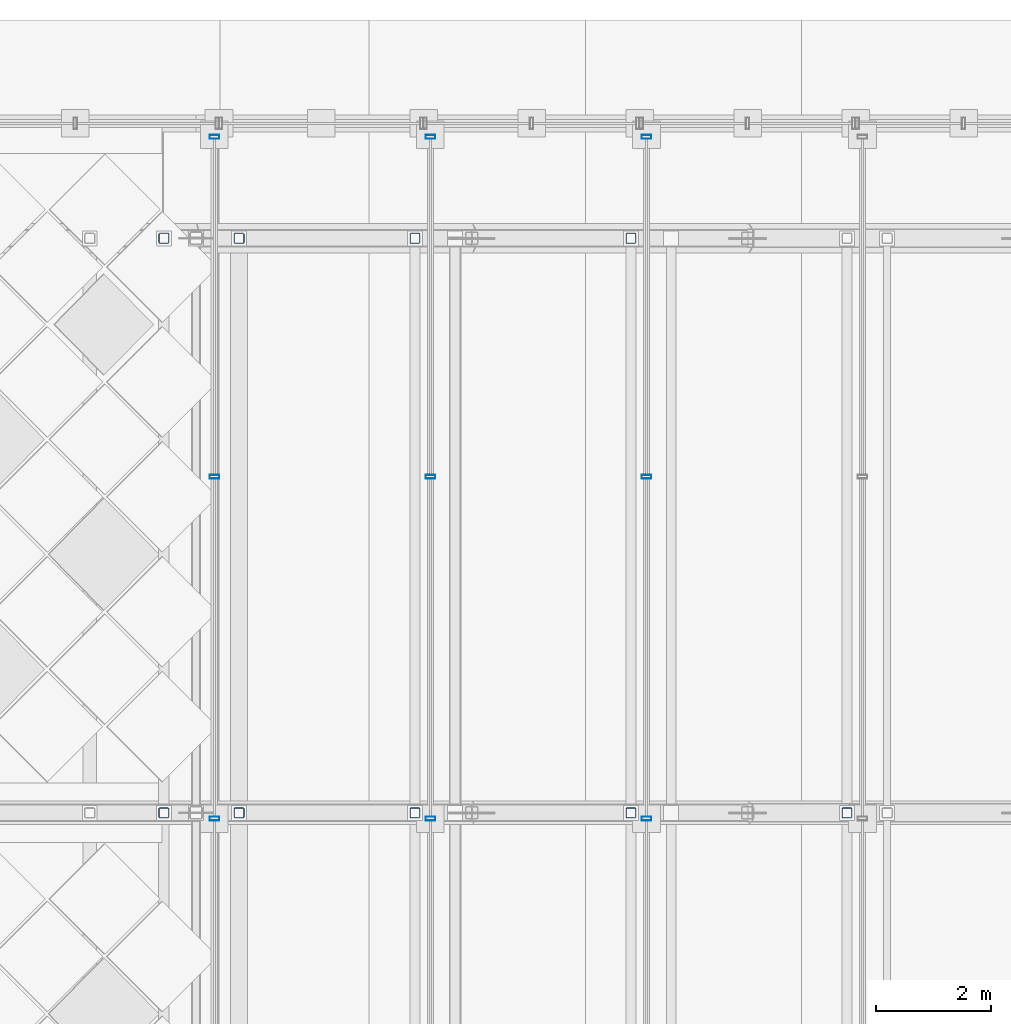
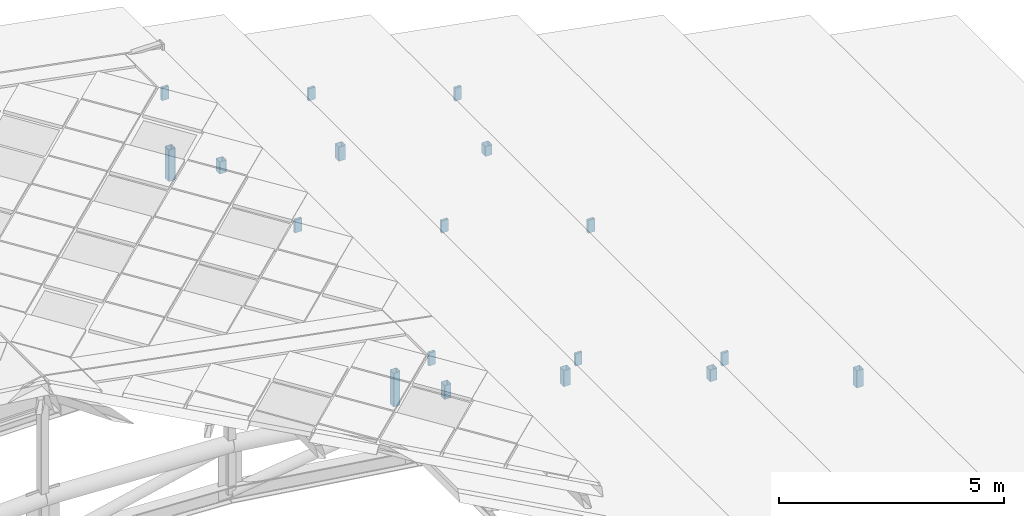
# One storey, part 75 of 117: 18 members, 3 elements without a shape of their own.
"""IFC4 building model written with IfcOpenShell, lengths in metres."""

from ifc_helpers import new_model, si_unit, direction, frame, origin, origin_2d, place, context, subcontext, project, spatial, hollow_rectangle, extrude, material, material_profile, profile_set, type_object, element, aggregate, save


model = new_model("IFC4")

# Units and contexts
model_context = context("Model", 3, precision=1e-05, world=origin(), true_north=direction((0.0, 1.0)))
body_context = subcontext(model_context, "Body", "Model", "MODEL_VIEW")
ifc_project = project(units=[si_unit("LENGTHUNIT", "METRE"), si_unit("AREAUNIT", "SQUARE_METRE"), si_unit("VOLUMEUNIT", "CUBIC_METRE"), si_unit("PLANEANGLEUNIT", "RADIAN"), si_unit("MASSUNIT", "GRAM", prefix="KILO")], contexts=[model_context])

# Site, building, storey
site_placement = place(None, origin())
site = spatial("IfcSite", under=ifc_project, at=site_placement, CompositionType="ELEMENT")
building_placement = place(site_placement, origin())
building = spatial("IfcBuilding", under=site, at=building_placement, Name="Merenkruunu Market Hall", CompositionType="ELEMENT")
storey_placement = place(building_placement, frame((0.0, 0.0, 22.800048828125)))
storey = spatial("IfcBuildingStorey", under=building, at=storey_placement, Name="RF", CompositionType="ELEMENT", Elevation=22.800048828125)

# Curtain wall, members
ifc_material_1 = material(Name="Powder-coated aluminium", Category="aluminium")
curtain_wall_type = type_object("IfcCurtainWallType", Name="Clerestory Curtain Band CL05", PredefinedType="USERDEFINED", material=ifc_material_1)
curtain_wall_1_placement = place(storey_placement, origin())
curtain_wall_1 = element("IfcCurtainWall", 1, at=curtain_wall_1_placement, inside=storey, type_object=curtain_wall_type, Name="CW-RF-CWM04-104", ObjectType="CLERESTORY_BAND", PredefinedType="USERDEFINED")
ifc_material_profile_1 = material_profile(ifc_material_1, hollow_rectangle(XDim=0.070068359375, YDim=0.169921875, WallThickness=0.0048828125, at=origin_2d()), Name="ALU 70x170x5")
ifc_profile_set_1 = profile_set([ifc_material_profile_1], Name="Powder-coated aluminium")
member_type_1 = type_object("IfcMemberType", Name="Curtain Wall Mullion CWM04", PredefinedType="MULLION", material=ifc_profile_set_1)
member_1_placement = place(storey_placement, frame((46.239990234375, 111.364990234375, -3.882080078125), z_axis=(0.0, 0.0, 1.0), x_axis=(0.0, -1.0, 0.0)))
member_1 = element("IfcMember", 2, at=member_1_placement, type_object=member_type_1, Name="CL05 mullion 1", PredefinedType="MULLION", context=body_context, shape_type="SweptSolid", body=[
    extrude(hollow_rectangle(XDim=0.070068359375, YDim=0.169921875, WallThickness=0.0048828125, at=origin_2d()), origin(), (0.0, 0.0, 1.0), 0.34814453125),
])
member_2_placement = place(storey_placement, frame((46.239990234375, 105.449951171875, -3.882080078125), z_axis=(0.0, 0.0, 1.0), x_axis=(0.0, -1.0, 0.0)))
member_2 = element("IfcMember", 3, at=member_2_placement, type_object=member_type_1, Name="CL05 mullion 2", PredefinedType="MULLION", context=body_context, shape_type="SweptSolid", body=[
    extrude(hollow_rectangle(XDim=0.070068359375, YDim=0.169921875, WallThickness=0.0048828125, at=origin_2d()), origin(), (0.0, 0.0, 1.0), 0.34814453125),
])
member_3_placement = place(storey_placement, frame((46.239990234375, 99.5, -3.882080078125), z_axis=(0.0, 0.0, 1.0), x_axis=(0.0, -1.0, 0.0)))
member_3 = element("IfcMember", 4, at=member_3_placement, type_object=member_type_1, Name="CL05 mullion 3", PredefinedType="MULLION", context=body_context, shape_type="SweptSolid", body=[
    extrude(hollow_rectangle(XDim=0.070068359375, YDim=0.169921875, WallThickness=0.0048828125, at=origin_2d()), origin(), (0.0, 0.0, 1.0), 0.34814453125),
])
aggregate(curtain_wall_1, [member_1, member_2, member_3])

curtain_wall_2_placement = place(storey_placement, origin())
curtain_wall_2 = element("IfcCurtainWall", 5, at=curtain_wall_2_placement, inside=storey, type_object=curtain_wall_type, Name="CW-RF-CWM04-112", ObjectType="CLERESTORY_BAND", PredefinedType="USERDEFINED")
member_4_placement = place(storey_placement, frame((42.47998046875, 111.364990234375, -2.56201171875), z_axis=(0.0, 0.0, 1.0), x_axis=(0.0, -1.0, 0.0)))
member_4 = element("IfcMember", 6, at=member_4_placement, type_object=member_type_1, Name="CL05 mullion 1", PredefinedType="MULLION", context=body_context, shape_type="SweptSolid", body=[
    extrude(hollow_rectangle(XDim=0.070068359375, YDim=0.169921875, WallThickness=0.0048828125, at=origin_2d()), origin(), (0.0, 0.0, 1.0), 0.326904296875),
])
member_5_placement = place(storey_placement, frame((42.47998046875, 105.449951171875, -2.56201171875), z_axis=(0.0, 0.0, 1.0), x_axis=(0.0, -1.0, 0.0)))
member_5 = element("IfcMember", 7, at=member_5_placement, type_object=member_type_1, Name="CL05 mullion 2", PredefinedType="MULLION", context=body_context, shape_type="SweptSolid", body=[
    extrude(hollow_rectangle(XDim=0.070068359375, YDim=0.169921875, WallThickness=0.0048828125, at=origin_2d()), origin(), (0.0, 0.0, 1.0), 0.326904296875),
])
member_6_placement = place(storey_placement, frame((42.47998046875, 99.5, -2.56201171875), z_axis=(0.0, 0.0, 1.0), x_axis=(0.0, -1.0, 0.0)))
member_6 = element("IfcMember", 8, at=member_6_placement, type_object=member_type_1, Name="CL05 mullion 3", PredefinedType="MULLION", context=body_context, shape_type="SweptSolid", body=[
    extrude(hollow_rectangle(XDim=0.070068359375, YDim=0.169921875, WallThickness=0.0048828125, at=origin_2d()), origin(), (0.0, 0.0, 1.0), 0.326904296875),
])
aggregate(curtain_wall_2, [member_4, member_5, member_6])

curtain_wall_3_placement = place(storey_placement, origin())
curtain_wall_3 = element("IfcCurtainWall", 9, at=curtain_wall_3_placement, inside=storey, type_object=curtain_wall_type, Name="CW-RF-CWM04-120", ObjectType="CLERESTORY_BAND", PredefinedType="USERDEFINED")
member_7_placement = place(storey_placement, frame((38.719970703125, 111.364990234375, -1.241943359375), z_axis=(0.0, 0.0, 1.0), x_axis=(0.0, -1.0, 0.0)))
member_7 = element("IfcMember", 10, at=member_7_placement, type_object=member_type_1, Name="CL05 mullion 1", PredefinedType="MULLION", context=body_context, shape_type="SweptSolid", body=[
    extrude(hollow_rectangle(XDim=0.070068359375, YDim=0.169921875, WallThickness=0.0048828125, at=origin_2d()), origin(), (0.0, 0.0, 1.0), 0.347900390625),
])
member_8_placement = place(storey_placement, frame((38.719970703125, 105.449951171875, -1.241943359375), z_axis=(0.0, 0.0, 1.0), x_axis=(0.0, -1.0, 0.0)))
member_8 = element("IfcMember", 11, at=member_8_placement, type_object=member_type_1, Name="CL05 mullion 2", PredefinedType="MULLION", context=body_context, shape_type="SweptSolid", body=[
    extrude(hollow_rectangle(XDim=0.070068359375, YDim=0.169921875, WallThickness=0.0048828125, at=origin_2d()), origin(), (0.0, 0.0, 1.0), 0.347900390625),
])
member_9_placement = place(storey_placement, frame((38.719970703125, 99.5, -1.241943359375), z_axis=(0.0, 0.0, 1.0), x_axis=(0.0, -1.0, 0.0)))
member_9 = element("IfcMember", 12, at=member_9_placement, type_object=member_type_1, Name="CL05 mullion 3", PredefinedType="MULLION", context=body_context, shape_type="SweptSolid", body=[
    extrude(hollow_rectangle(XDim=0.070068359375, YDim=0.169921875, WallThickness=0.0048828125, at=origin_2d()), origin(), (0.0, 0.0, 1.0), 0.347900390625),
])
aggregate(curtain_wall_3, [member_7, member_8, member_9])

# Members
ifc_material_2 = material(Name="Steel S355J2", Category="steel")
ifc_material_profile_2 = material_profile(ifc_material_2, hollow_rectangle(XDim=0.179931640625, YDim=0.179931640625, WallThickness=0.010009765625, InnerFilletRadius=0.010009765625, OuterFilletRadius=0.02001953125, at=origin_2d()), Name="SHS 180x180x10")
ifc_profile_set_2 = profile_set([ifc_material_profile_2], Name="Steel S355J2")
member_type_2 = type_object("IfcMemberType", Name="Diagonal Sway Brace BR05", PredefinedType="BRACE", material=ifc_profile_set_2)
member_10_placement = place(storey_placement, frame((49.72998046875, 99.60009765625, -5.720947265625), z_axis=(0.0, 0.0, 1.0), x_axis=(1.0, 0.0, 0.0)))
element("IfcMember", 13, at=member_10_placement, inside=storey, type_object=member_type_2, Name="TRUSS-AT-8-RISER-E3-1", PredefinedType="BRACE", context=body_context, shape_type="SweptSolid", body=[
    extrude(hollow_rectangle(XDim=0.179931640625, YDim=0.179931640625, WallThickness=0.010009765625, InnerFilletRadius=0.010009765625, OuterFilletRadius=0.02001953125, at=origin_2d()), origin(), (0.0, 0.0, 1.0), 0.462646484375),
])
member_11_placement = place(storey_placement, frame((45.969970703125, 99.60009765625, -4.23583984375), z_axis=(0.0, 0.0, 1.0), x_axis=(1.0, 0.0, 0.0)))
element("IfcMember", 14, at=member_11_placement, inside=storey, type_object=member_type_2, Name="TRUSS-AT-8-RISER-E4-1", PredefinedType="BRACE", context=body_context, shape_type="SweptSolid", body=[
    extrude(hollow_rectangle(XDim=0.179931640625, YDim=0.179931640625, WallThickness=0.010009765625, InnerFilletRadius=0.010009765625, OuterFilletRadius=0.02001953125, at=origin_2d()), origin(), (0.0, 0.0, 1.0), 0.31787109375),
])
member_12_placement = place(storey_placement, frame((42.2099609375, 99.60009765625, -3.053955078125), z_axis=(0.0, 0.0, 1.0), x_axis=(1.0, 0.0, 0.0)))
element("IfcMember", 15, at=member_12_placement, inside=storey, type_object=member_type_2, Name="TRUSS-AT-8-RISER-E5-1", PredefinedType="BRACE", context=body_context, shape_type="SweptSolid", body=[
    extrude(hollow_rectangle(XDim=0.179931640625, YDim=0.179931640625, WallThickness=0.010009765625, InnerFilletRadius=0.010009765625, OuterFilletRadius=0.02001953125, at=origin_2d()), origin(), (0.0, 0.0, 1.0), 0.435546875),
])
member_13_placement = place(storey_placement, frame((39.14990234375, 99.60009765625, -2.326904296875), z_axis=(0.0, 0.0, 1.0), x_axis=(1.0, 0.0, 0.0)))
element("IfcMember", 16, at=member_13_placement, inside=storey, type_object=member_type_2, Name="TRUSS-AT-8-RISER-E5-2", PredefinedType="BRACE", context=body_context, shape_type="SweptSolid", body=[
    extrude(hollow_rectangle(XDim=0.179931640625, YDim=0.179931640625, WallThickness=0.010009765625, InnerFilletRadius=0.010009765625, OuterFilletRadius=0.02001953125, at=origin_2d()), origin(), (0.0, 0.0, 1.0), 0.37451171875),
])
member_14_placement = place(storey_placement, frame((37.840087890625, 99.60009765625, -2.07080078125), z_axis=(0.0, 0.0, 1.0), x_axis=(1.0, 0.0, 0.0)))
element("IfcMember", 17, at=member_14_placement, inside=storey, type_object=member_type_2, Name="TRUSS-AT-8-RISER-E6-1", PredefinedType="BRACE", context=body_context, shape_type="SweptSolid", body=[
    extrude(hollow_rectangle(XDim=0.179931640625, YDim=0.179931640625, WallThickness=0.010009765625, InnerFilletRadius=0.010009765625, OuterFilletRadius=0.02001953125, at=origin_2d()), origin(), (0.0, 0.0, 1.0), 0.90576171875),
])
member_15_placement = place(storey_placement, frame((45.969970703125, 109.60009765625, -4.18505859375), z_axis=(0.0, 0.0, 1.0), x_axis=(1.0, 0.0, 0.0)))
element("IfcMember", 18, at=member_15_placement, inside=storey, type_object=member_type_2, Name="TRUSS-AT-G-RISER-E4-1", PredefinedType="BRACE", context=body_context, shape_type="SweptSolid", body=[
    extrude(hollow_rectangle(XDim=0.179931640625, YDim=0.179931640625, WallThickness=0.010009765625, InnerFilletRadius=0.010009765625, OuterFilletRadius=0.02001953125, at=origin_2d()), origin(), (0.0, 0.0, 1.0), 0.26708984375),
])
member_16_placement = place(storey_placement, frame((42.2099609375, 109.60009765625, -3.0029296875), z_axis=(0.0, 0.0, 1.0), x_axis=(1.0, 0.0, 0.0)))
element("IfcMember", 19, at=member_16_placement, inside=storey, type_object=member_type_2, Name="TRUSS-AT-G-RISER-E5-1", PredefinedType="BRACE", context=body_context, shape_type="SweptSolid", body=[
    extrude(hollow_rectangle(XDim=0.179931640625, YDim=0.179931640625, WallThickness=0.010009765625, InnerFilletRadius=0.010009765625, OuterFilletRadius=0.02001953125, at=origin_2d()), origin(), (0.0, 0.0, 1.0), 0.384521484375),
])
member_17_placement = place(storey_placement, frame((39.14990234375, 109.60009765625, -2.276123046875), z_axis=(0.0, 0.0, 1.0), x_axis=(1.0, 0.0, 0.0)))
element("IfcMember", 20, at=member_17_placement, inside=storey, type_object=member_type_2, Name="TRUSS-AT-G-RISER-E5-2", PredefinedType="BRACE", context=body_context, shape_type="SweptSolid", body=[
    extrude(hollow_rectangle(XDim=0.179931640625, YDim=0.179931640625, WallThickness=0.010009765625, InnerFilletRadius=0.010009765625, OuterFilletRadius=0.02001953125, at=origin_2d()), origin(), (0.0, 0.0, 1.0), 0.32373046875),
])
member_18_placement = place(storey_placement, frame((37.840087890625, 109.60009765625, -2.02001953125), z_axis=(0.0, 0.0, 1.0), x_axis=(1.0, 0.0, 0.0)))
element("IfcMember", 21, at=member_18_placement, inside=storey, type_object=member_type_2, Name="TRUSS-AT-G-RISER-E6-1", PredefinedType="BRACE", context=body_context, shape_type="SweptSolid", body=[
    extrude(hollow_rectangle(XDim=0.179931640625, YDim=0.179931640625, WallThickness=0.010009765625, InnerFilletRadius=0.010009765625, OuterFilletRadius=0.02001953125, at=origin_2d()), origin(), (0.0, 0.0, 1.0), 0.85498046875),
])

save(model, "model.ifc")
